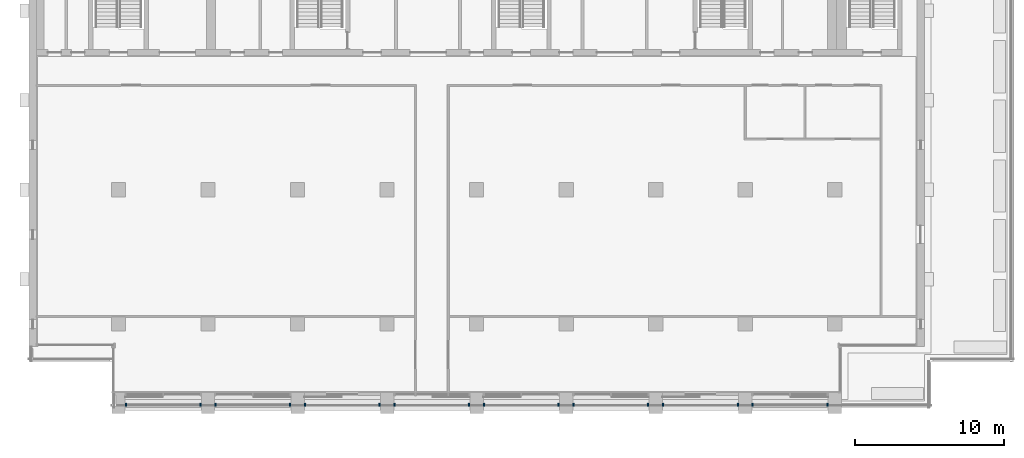
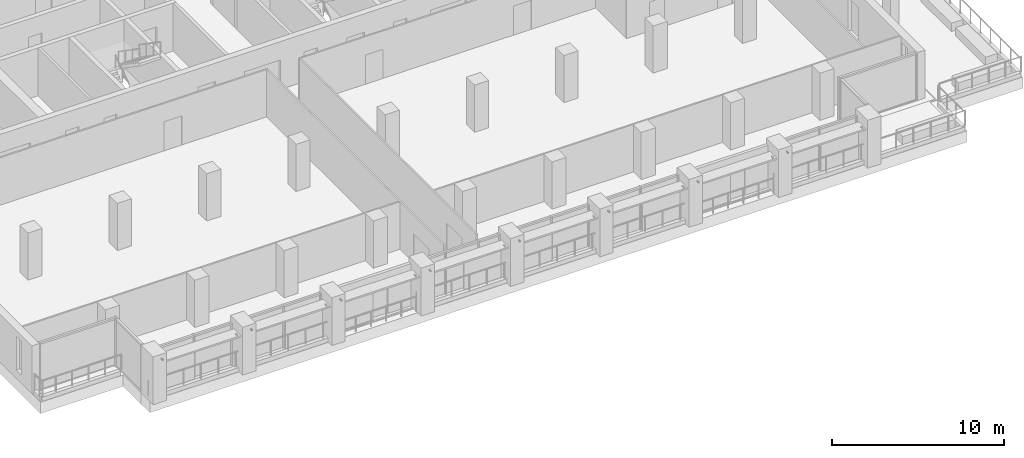
# One storey, part 13 of 16: 16 discrete accessories.
"""IFC4 building model written with IfcOpenShell, lengths in metres."""

from ifc_helpers import new_model, si_unit, direction, frame, origin, origin_2d, place, context, subcontext, project, spatial, rectangle, extrude, element, save


model = new_model("IFC4")

# Units and contexts
model_context = context("Model", 3, precision=1e-05, world=origin(), true_north=direction((0.0, 1.0)))
body_context = subcontext(model_context, "Body", "Model", "MODEL_VIEW")
ifc_project = project(units=[si_unit("LENGTHUNIT", "METRE"), si_unit("AREAUNIT", "SQUARE_METRE"), si_unit("VOLUMEUNIT", "CUBIC_METRE"), si_unit("PLANEANGLEUNIT", "RADIAN"), si_unit("MASSUNIT", "GRAM", prefix="KILO")], contexts=[model_context])

# Site, building, storey
site_placement = place(None, origin())
site = spatial("IfcSite", under=ifc_project, at=site_placement, CompositionType="ELEMENT")
building_placement = place(site_placement, origin())
building = spatial("IfcBuilding", under=site, at=building_placement, Name="Calvaro Tower", CompositionType="ELEMENT")
storey_placement = place(building_placement, frame((0.0, 0.0, 231.75)))
storey = spatial("IfcBuildingStorey", under=building, at=storey_placement, Name="L58", CompositionType="ELEMENT", Elevation=231.75)

# Discrete accessories
for number, where, z_axis, x_axis, name in (
    (1, (12.5, 4.60009765625, 2.5), (0.0, 0.0, 1.0), (1.0, 0.0, 0.0), "Brise-soleil bracket"),
    (2, (17.5, 4.60009765625, 2.5), (0.0, 0.0, 1.0), (1.0, 0.0, 0.0), "Brise-soleil bracket"),
    (3, (18.5, 4.60009765625, 2.5), (0.0, 0.0, 1.0), (1.0, 0.0, 0.0), "Brise-soleil bracket"),
    (4, (23.5, 4.60009765625, 2.5), (0.0, 0.0, 1.0), (1.0, 0.0, 0.0), "Brise-soleil bracket"),
    (5, (24.5, 4.60009765625, 2.5), (0.0, 0.0, 1.0), (1.0, 0.0, 0.0), "Brise-soleil bracket"),
    (6, (29.5, 4.60009765625, 2.5), (0.0, 0.0, 1.0), (1.0, 0.0, 0.0), "Brise-soleil bracket"),
    (7, (30.5, 4.60009765625, 2.5), (0.0, 0.0, 1.0), (1.0, 0.0, 0.0), "Brise-soleil bracket"),
    (8, (35.5, 4.60009765625, 2.5), (0.0, 0.0, 1.0), (1.0, 0.0, 0.0), "Brise-soleil bracket"),
    (9, (36.5, 4.60009765625, 2.5), (0.0, 0.0, 1.0), (1.0, 0.0, 0.0), "Brise-soleil bracket"),
    (10, (41.5, 4.60009765625, 2.5), (0.0, 0.0, 1.0), (1.0, 0.0, 0.0), "Brise-soleil bracket"),
    (11, (42.5, 4.60009765625, 2.5), (0.0, 0.0, 1.0), (1.0, 0.0, 0.0), "Brise-soleil bracket"),
    (12, (47.5, 4.60009765625, 2.5), (0.0, 0.0, 1.0), (1.0, 0.0, 0.0), "Brise-soleil bracket"),
    (13, (48.5, 4.60009765625, 2.5), (0.0, 0.0, 1.0), (1.0, 0.0, 0.0), "Brise-soleil bracket"),
    (14, (53.5, 4.60009765625, 2.5), (0.0, 0.0, 1.0), (1.0, 0.0, 0.0), "Brise-soleil bracket"),
    (15, (54.5, 4.60009765625, 2.5), (0.0, 0.0, 1.0), (1.0, 0.0, 0.0), "Brise-soleil bracket"),
    (16, (59.5, 4.60009765625, 2.5), (0.0, 0.0, 1.0), (1.0, 0.0, 0.0), "Brise-soleil bracket"),
):
    element("IfcDiscreteAccessory", number, at=place(storey_placement, frame(where, z_axis=z_axis, x_axis=x_axis)), inside=storey, Name=name, PredefinedType="BRACKET", context=body_context, shape_type="SweptSolid", body=[
        extrude(rectangle(XDim=0.10009765625, YDim=0.199951171875, at=origin_2d()), origin(), (0.0, 0.0, 1.0), 0.10009765625),
    ])

save(model, "model.ifc")
